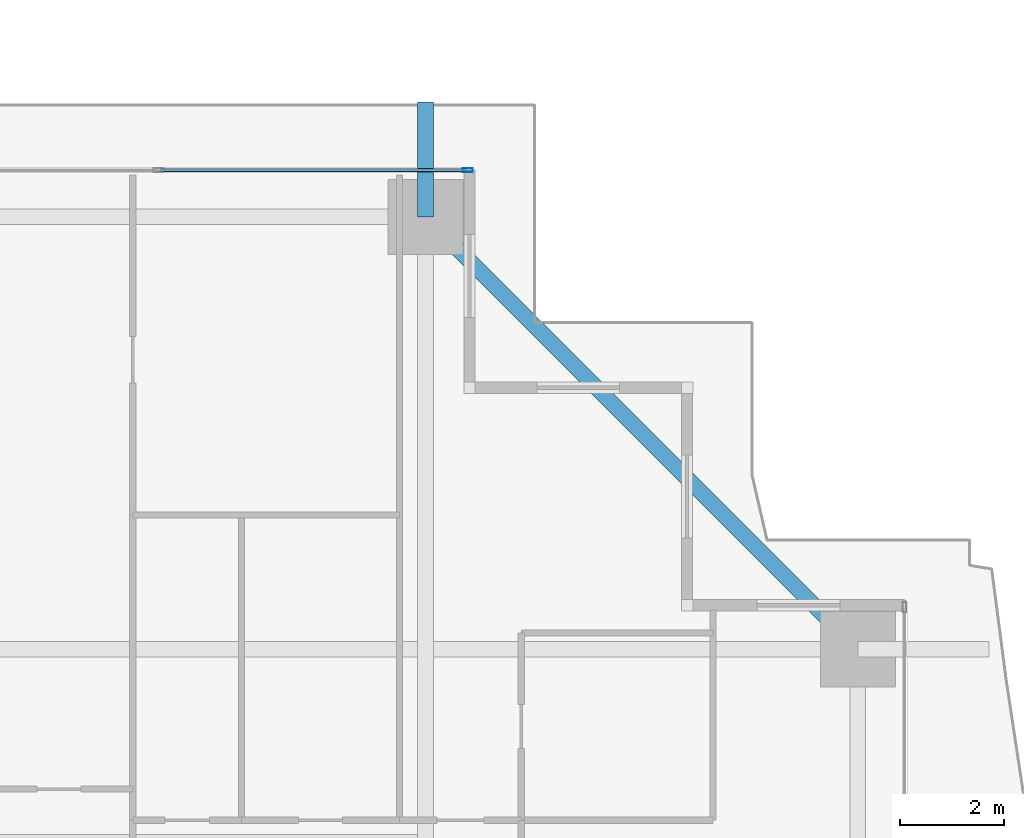
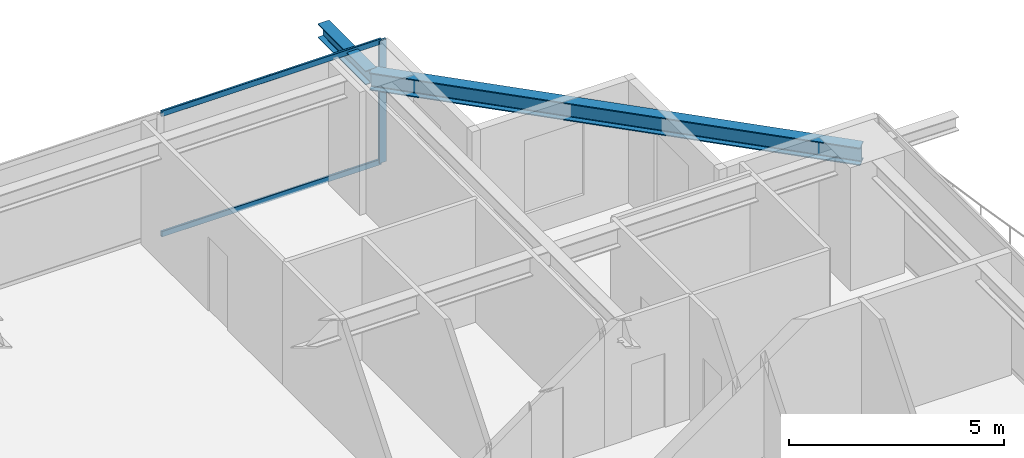
# One storey, part 25 of 39: 3 members, 2 beams, 1 element without a shape of its own.
"""IFC4 building model written with IfcOpenShell, lengths in metres."""

from ifc_helpers import new_model, si_unit, direction, frame, origin, origin_2d, place, context, subcontext, project, spatial, hollow_rectangle, i_section, extrude, source, transform, mapped, material, layer, layer_set, material_profile, profile_set, type_object, element, aggregate, save


model = new_model("IFC4")

# Units and contexts
model_context = context("Model", 3, precision=1e-05, world=origin(), true_north=direction((0.0, 1.0)))
body_context = subcontext(model_context, "Body", "Model", "MODEL_VIEW")
ifc_project = project(units=[si_unit("LENGTHUNIT", "METRE"), si_unit("AREAUNIT", "SQUARE_METRE"), si_unit("VOLUMEUNIT", "CUBIC_METRE"), si_unit("PLANEANGLEUNIT", "RADIAN"), si_unit("MASSUNIT", "GRAM", prefix="KILO")], contexts=[model_context])

# Site, building, storey
site_placement = place(None, origin())
site = spatial("IfcSite", under=ifc_project, at=site_placement, CompositionType="ELEMENT")
building_placement = place(site_placement, origin())
building = spatial("IfcBuilding", under=site, at=building_placement, Name="Serunith Strait Residences", CompositionType="ELEMENT")
storey_placement = place(building_placement, frame((0.0, 0.0, 79.199951171875)))
storey = spatial("IfcBuildingStorey", under=building, at=storey_placement, Name="L19", CompositionType="ELEMENT", Elevation=79.199951171875)

# Beams
ifc_material_1 = material(Name="Steel S355J2", Category="steel")
ifc_material_profile_1 = material_profile(ifc_material_1, i_section(OverallWidth=0.300048828125, OverallDepth=0.5, WebThickness=0.014404296875, FlangeThickness=0.028076171875, FilletRadius=0.027099609375, at=origin_2d()), Name="HEB 500")
ifc_profile_set_1 = profile_set([ifc_material_profile_1], Name="Steel S355J2")
beam_type_1 = type_object("IfcBeamType", Name="BM-HEB500", PredefinedType="BEAM", material=ifc_profile_set_1)
shared_shape_1 = source(origin(), body_context, "Body", "SweptSolid", [
    extrude(i_section(OverallWidth=0.300048828125, OverallDepth=0.5, WebThickness=0.014404296875, FlangeThickness=0.028076171875, FilletRadius=0.027099609375, at=origin_2d()), origin(), (0.0, 0.0, 1.0), 11.80859375),
])
beam_1_placement = place(storey_placement, frame((57.89990234375, 40.949951171875, 3.20703125), z_axis=(-0.707096443746, 0.707117118476, 0.0), x_axis=(-0.707117118476, -0.707096443746, 0.0)))
element("IfcBeam", 1, at=beam_1_placement, inside=storey, type_object=beam_type_1, Name="L19 Perimeter Ring Beam 08", PredefinedType="BEAM", context=body_context, shape_type="MappedRepresentation", body=[
    mapped(shared_shape_1, transform((0.0, 0.0, 0.0), scale=1.0)),
])
ifc_material_profile_2 = material_profile(ifc_material_1, i_section(OverallWidth=0.300048828125, OverallDepth=0.39990234375, WebThickness=0.013427734375, FlangeThickness=0.02392578125, FilletRadius=0.027099609375, at=origin_2d()), Name="HEB 400")
ifc_profile_set_2 = profile_set([ifc_material_profile_2], Name="Steel S355J2")
beam_type_2 = type_object("IfcBeamType", Name="BM-HEB400", PredefinedType="BEAM", material=ifc_profile_set_2)
shared_shape_2 = source(origin(), body_context, "Body", "SweptSolid", [
    extrude(i_section(OverallWidth=0.300048828125, OverallDepth=0.39990234375, WebThickness=0.013427734375, FlangeThickness=0.02392578125, FilletRadius=0.027099609375, at=origin_2d()), origin(), (0.0, 0.0, 1.0), 2.2177734375),
])
beam_2_placement = place(storey_placement, frame((49.550048828125, 49.300048828125, 3.257080078125), z_axis=(0.0, 1.0, 0.0), x_axis=(-1.0, 0.0, 0.0)))
element("IfcBeam", 2, at=beam_2_placement, inside=storey, type_object=beam_type_2, Name="L20 Cantilevered Balcony Rib TC-N4", PredefinedType="BEAM", context=body_context, shape_type="MappedRepresentation", body=[
    mapped(shared_shape_2, transform((0.0, 0.0, 0.0), scale=1.0)),
])

# Curtain wall, members
ifc_material_2 = material(Name="Pale-Champagne Anodised Aluminium", Category="aluminium")
ifc_layer = layer(ifc_material_2, 0.199951171875, Name="Pale-Champagne Anodised Aluminium")
ifc_layer_set = layer_set([ifc_layer], Name="Pale-Champagne Anodised Aluminium")
curtain_wall_type = type_object("IfcCurtainWallType", Name="CW-SYS1", PredefinedType="NOTDEFINED", material=ifc_layer_set)
curtain_wall_placement = place(storey_placement, origin())
curtain_wall = element("IfcCurtainWall", 3, at=curtain_wall_placement, inside=storey, type_object=curtain_wall_type, Name="L19 N Unitised Fritted Curtain Wall", PredefinedType="NOTDEFINED")
ifc_material_profile_3 = material_profile(ifc_material_2, hollow_rectangle(XDim=0.070068359375, YDim=0.199951171875, WallThickness=0.00390625, InnerFilletRadius=0.006103515625, OuterFilletRadius=0.010009765625, at=origin_2d()), Name="ALU 200x70x4")
ifc_profile_set_3 = profile_set([ifc_material_profile_3], Name="Pale-Champagne Anodised Aluminium")
member_type_1 = type_object("IfcMemberType", Name="CW-SYS1-MULL", PredefinedType="MULLION", material=ifc_profile_set_3)
shared_shape_3 = source(origin(), body_context, "Body", "SweptSolid", [
    extrude(hollow_rectangle(XDim=0.070068359375, YDim=0.199951171875, WallThickness=0.00390625, InnerFilletRadius=0.006103515625, OuterFilletRadius=0.010009765625, at=origin_2d()), origin(), (0.0, 0.0, 1.0), 3.47509765625),
])
member_1_placement = place(storey_placement, frame((50.364990234375, 50.199951171875, 0.0), z_axis=(0.0, 0.0, 1.0), x_axis=(0.0, -1.0, 0.0)))
member_1 = element("IfcMember", 4, at=member_1_placement, type_object=member_type_1, Name="CW-1 mullion 1", PredefinedType="MULLION", context=body_context, shape_type="MappedRepresentation", body=[
    mapped(shared_shape_3, transform((0.0, 0.0, 0.0), scale=1.0)),
])
ifc_material_profile_4 = material_profile(ifc_material_2, hollow_rectangle(XDim=0.06005859375, YDim=0.159912109375, WallThickness=0.00341796875, InnerFilletRadius=0.00537109375, OuterFilletRadius=0.0087890625, at=origin_2d()), Name="ALU 160x60x3.5")
ifc_profile_set_4 = profile_set([ifc_material_profile_4], Name="Pale-Champagne Anodised Aluminium")
member_type_2 = type_object("IfcMemberType", Name="CW-SYS1-TRAN", PredefinedType="USERDEFINED", material=ifc_profile_set_4)
shared_shape_4 = source(origin(), body_context, "Body", "SweptSolid", [
    extrude(hollow_rectangle(XDim=0.06005859375, YDim=0.159912109375, WallThickness=0.00341796875, InnerFilletRadius=0.00537109375, OuterFilletRadius=0.0087890625, at=origin_2d()), origin(), (0.0, 0.0, 1.0), 5.89501953125),
])
member_2_placement = place(storey_placement, frame((50.330078125, 50.199951171875, 0.030029296875), z_axis=(-1.0, 0.0, 0.0), x_axis=(0.0, -1.0, 0.0)))
member_2 = element("IfcMember", 5, at=member_2_placement, type_object=member_type_2, Name="CW-1 transom 1.1", ObjectType="TRANSOM", PredefinedType="USERDEFINED", context=body_context, shape_type="MappedRepresentation", body=[
    mapped(shared_shape_4, transform((0.0, 0.0, 0.0), scale=1.0)),
])
member_3_placement = place(storey_placement, frame((50.330078125, 50.199951171875, 3.445068359375), z_axis=(-1.0, 0.0, 0.0), x_axis=(0.0, -1.0, 0.0)))
member_3 = element("IfcMember", 6, at=member_3_placement, type_object=member_type_2, Name="CW-1 transom 1.2", ObjectType="TRANSOM", PredefinedType="USERDEFINED", context=body_context, shape_type="MappedRepresentation", body=[
    mapped(shared_shape_4, transform((0.0, 0.0, 0.0), scale=1.0)),
])
aggregate(curtain_wall, [member_1, member_2, member_3])

save(model, "model.ifc")
